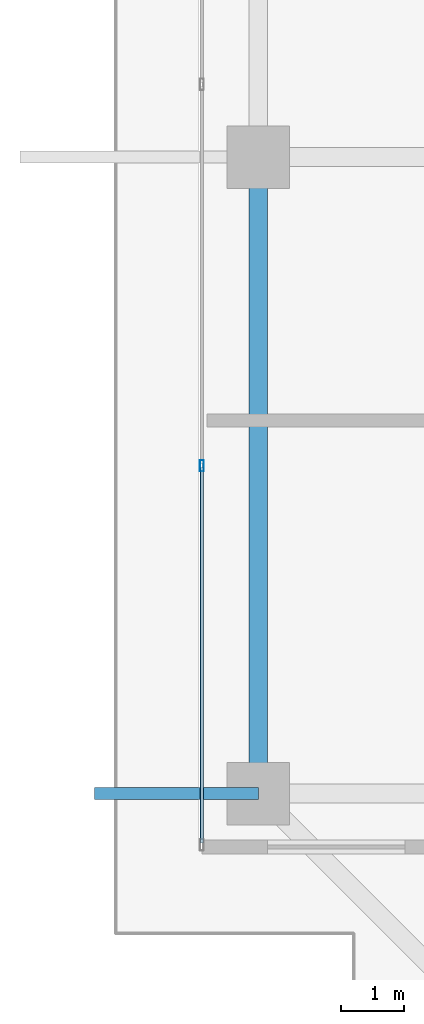
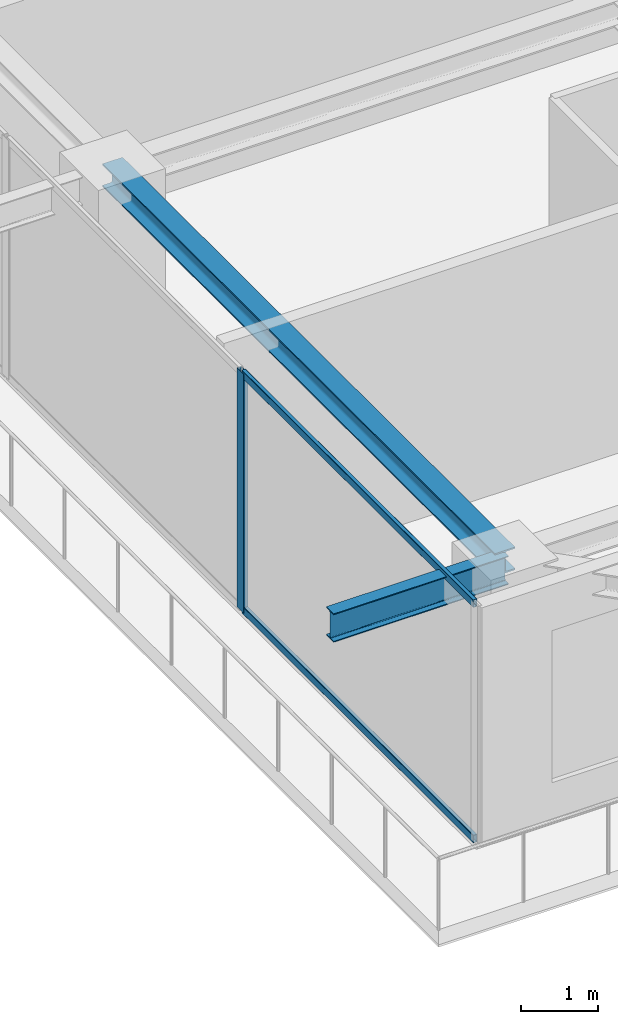
# One storey, part 4 of 39: 3 members, 2 beams, 1 element without a shape of its own.
"""IFC4 building model written with IfcOpenShell, lengths in metres."""

from ifc_helpers import new_model, si_unit, direction, frame, origin, origin_2d, place, context, subcontext, project, spatial, hollow_rectangle, i_section, extrude, source, transform, mapped, material, layer, layer_set, material_profile, profile_set, type_object, element, aggregate, save


model = new_model("IFC4")

# Units and contexts
model_context = context("Model", 3, precision=1e-05, world=origin(), true_north=direction((0.0, 1.0)))
body_context = subcontext(model_context, "Body", "Model", "MODEL_VIEW")
ifc_project = project(units=[si_unit("LENGTHUNIT", "METRE"), si_unit("AREAUNIT", "SQUARE_METRE"), si_unit("VOLUMEUNIT", "CUBIC_METRE"), si_unit("PLANEANGLEUNIT", "RADIAN"), si_unit("MASSUNIT", "GRAM", prefix="KILO")], contexts=[model_context])

# Site, building, storey
site_placement = place(None, origin())
site = spatial("IfcSite", under=ifc_project, at=site_placement, CompositionType="ELEMENT")
building_placement = place(site_placement, origin())
building = spatial("IfcBuilding", under=site, at=building_placement, Name="Serunith Strait Residences", CompositionType="ELEMENT")
storey_placement = place(building_placement, frame((0.0, 0.0, 329.89990234375)))
storey = spatial("IfcBuildingStorey", under=building, at=storey_placement, Name="L82", CompositionType="ELEMENT", Elevation=329.89990234375)

# Beams
ifc_material_1 = material(Name="Steel S355J2", Category="steel")
ifc_material_profile_1 = material_profile(ifc_material_1, i_section(OverallWidth=0.300048828125, OverallDepth=0.360107421875, WebThickness=0.012451171875, FlangeThickness=0.0224609375, FilletRadius=0.027099609375, at=origin_2d()), Name="HEB 360")
ifc_profile_set_1 = profile_set([ifc_material_profile_1], Name="Steel S355J2")
beam_type_1 = type_object("IfcBeamType", Name="BM-HEB360", PredefinedType="BEAM", material=ifc_profile_set_1)
shared_shape_1 = source(origin(), body_context, "Body", "SweptSolid", [
    extrude(i_section(OverallWidth=0.300048828125, OverallDepth=0.360107421875, WebThickness=0.012451171875, FlangeThickness=0.0224609375, FilletRadius=0.027099609375, at=origin_2d()), origin(), (0.0, 0.0, 1.0), 10.14990234375),
])
beam_1_placement = place(storey_placement, frame((10.10009765625, 21.0, 3.607177734375), z_axis=(0.0, -1.0, 0.0), x_axis=(1.0, 0.0, 0.0)))
element("IfcBeam", 1, at=beam_1_placement, inside=storey, type_object=beam_type_1, Name="L82 Perimeter Ring Beam 15", PredefinedType="BEAM", context=body_context, shape_type="MappedRepresentation", body=[
    mapped(shared_shape_1, transform((0.0, 0.0, 0.0), scale=1.0)),
])
ifc_material_profile_2 = material_profile(ifc_material_1, i_section(OverallWidth=0.18994140625, OverallDepth=0.449951171875, WebThickness=0.009521484375, FlangeThickness=0.0146484375, FilletRadius=0.02099609375, at=origin_2d()), Name="IPE 450")
ifc_profile_set_2 = profile_set([ifc_material_profile_2], Name="Steel S355J2")
beam_type_2 = type_object("IfcBeamType", Name="BM-IPE450", PredefinedType="JOIST", material=ifc_profile_set_2)
shared_shape_2 = source(origin(), body_context, "Body", "SweptSolid", [
    extrude(i_section(OverallWidth=0.18994140625, OverallDepth=0.449951171875, WebThickness=0.009521484375, FlangeThickness=0.0146484375, FilletRadius=0.02099609375, at=origin_2d()), origin(), (0.0, 0.0, 1.0), 2.614501953125),
])
beam_2_placement = place(storey_placement, frame((10.10009765625, 10.85009765625, 3.531982421875), z_axis=(-1.0, 0.0, 0.0), x_axis=(0.0, -1.0, 0.0)))
element("IfcBeam", 2, at=beam_2_placement, inside=storey, type_object=beam_type_2, Name="L83 Cantilevered Balcony Rib TC-W1", PredefinedType="JOIST", context=body_context, shape_type="MappedRepresentation", body=[
    mapped(shared_shape_2, transform((0.0, 0.0, 0.0), scale=1.0)),
])

# Curtain wall, members
ifc_material_2 = material(Name="Brushed Stainless-Silver Aluminium", Category="aluminium")
ifc_layer = layer(ifc_material_2, 0.199951171875, Name="Brushed Stainless-Silver Aluminium")
ifc_layer_set = layer_set([ifc_layer], Name="Brushed Stainless-Silver Aluminium")
curtain_wall_type = type_object("IfcCurtainWallType", Name="CW-SYS5", PredefinedType="NOTDEFINED", material=ifc_layer_set)
curtain_wall_placement = place(storey_placement, origin())
curtain_wall = element("IfcCurtainWall", 3, at=curtain_wall_placement, inside=storey, type_object=curtain_wall_type, Name="L82 W Unitised Fritted Curtain Wall", PredefinedType="NOTDEFINED")
ifc_material_profile_3 = material_profile(ifc_material_2, hollow_rectangle(XDim=0.06494140625, YDim=0.179931640625, WallThickness=0.00341796875, InnerFilletRadius=0.00537109375, OuterFilletRadius=0.0087890625, at=origin_2d()), Name="ALU 180x65x3.5")
ifc_profile_set_3 = profile_set([ifc_material_profile_3], Name="Brushed Stainless-Silver Aluminium")
member_type_1 = type_object("IfcMemberType", Name="CW-SYS5-MULL", PredefinedType="MULLION", material=ifc_profile_set_3)
shared_shape_3 = source(origin(), body_context, "Body", "SweptSolid", [
    extrude(hollow_rectangle(XDim=0.06494140625, YDim=0.179931640625, WallThickness=0.00341796875, InnerFilletRadius=0.00537109375, OuterFilletRadius=0.0087890625, at=origin_2d()), origin(), (0.0, 0.0, 1.0), 3.775146484375),
])
member_1_placement = place(storey_placement, frame((9.199951171875, 16.080078125, 0.0), z_axis=(0.0, 0.0, 1.0), x_axis=(1.0, 0.0, 0.0)))
member_1 = element("IfcMember", 4, at=member_1_placement, type_object=member_type_1, Name="CW-5 mullion 5", PredefinedType="MULLION", context=body_context, shape_type="MappedRepresentation", body=[
    mapped(shared_shape_3, transform((0.0, 0.0, 0.0), scale=1.0)),
])
ifc_material_profile_4 = material_profile(ifc_material_2, hollow_rectangle(XDim=0.06005859375, YDim=0.1201171875, WallThickness=0.00341796875, InnerFilletRadius=0.00537109375, OuterFilletRadius=0.0087890625, at=origin_2d()), Name="ALU 120x60x3.5")
ifc_profile_set_4 = profile_set([ifc_material_profile_4], Name="Brushed Stainless-Silver Aluminium")
member_type_2 = type_object("IfcMemberType", Name="CW-SYS5-TRAN", PredefinedType="USERDEFINED", material=ifc_profile_set_4)
shared_shape_4 = source(origin(), body_context, "Body", "SweptSolid", [
    extrude(hollow_rectangle(XDim=0.06005859375, YDim=0.1201171875, WallThickness=0.00341796875, InnerFilletRadius=0.00537109375, OuterFilletRadius=0.0087890625, at=origin_2d()), origin(), (0.0, 0.0, 1.0), 5.982666015625),
])
member_2_placement = place(storey_placement, frame((9.199951171875, 16.047607421875, 0.030029296875), z_axis=(0.0, -1.0, 0.0), x_axis=(1.0, 0.0, 0.0)))
member_2 = element("IfcMember", 5, at=member_2_placement, type_object=member_type_2, Name="CW-5 transom 5.1", ObjectType="TRANSOM", PredefinedType="USERDEFINED", context=body_context, shape_type="MappedRepresentation", body=[
    mapped(shared_shape_4, transform((0.0, 0.0, 0.0), scale=1.0)),
])
member_3_placement = place(storey_placement, frame((9.199951171875, 16.047607421875, 3.7451171875), z_axis=(0.0, -1.0, 0.0), x_axis=(1.0, 0.0, 0.0)))
member_3 = element("IfcMember", 6, at=member_3_placement, type_object=member_type_2, Name="CW-5 transom 5.2", ObjectType="TRANSOM", PredefinedType="USERDEFINED", context=body_context, shape_type="MappedRepresentation", body=[
    mapped(shared_shape_4, transform((0.0, 0.0, 0.0), scale=1.0)),
])
aggregate(curtain_wall, [member_1, member_2, member_3])

save(model, "model.ifc")
